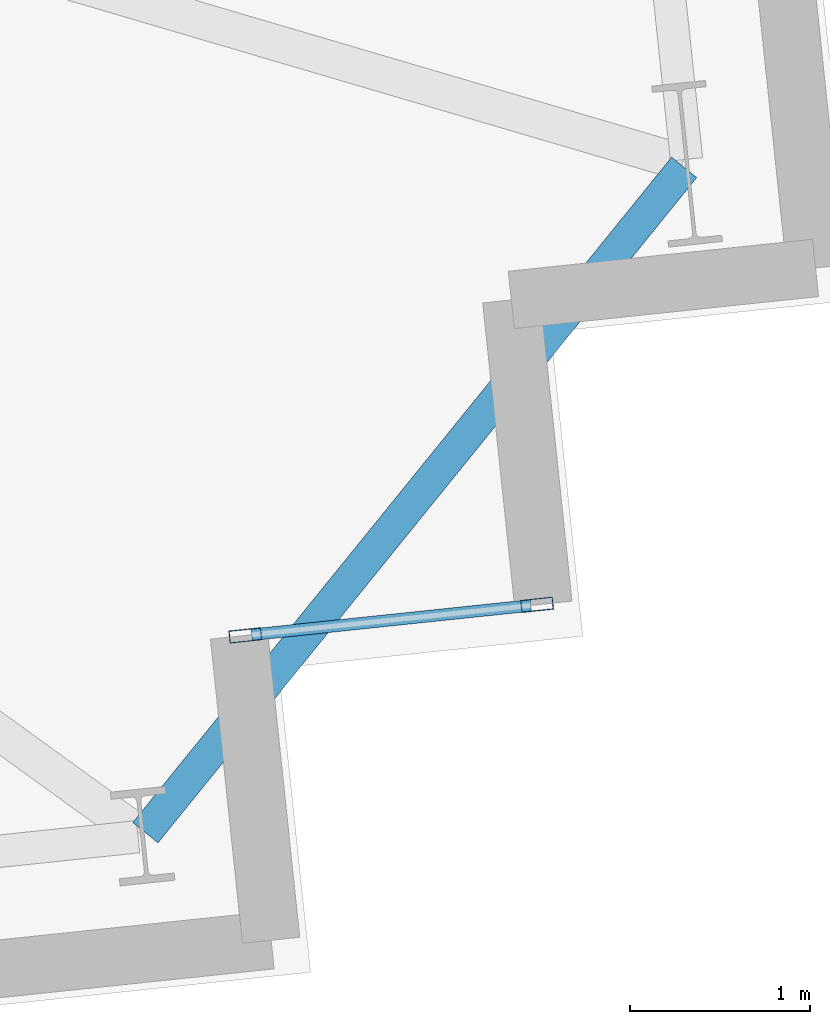
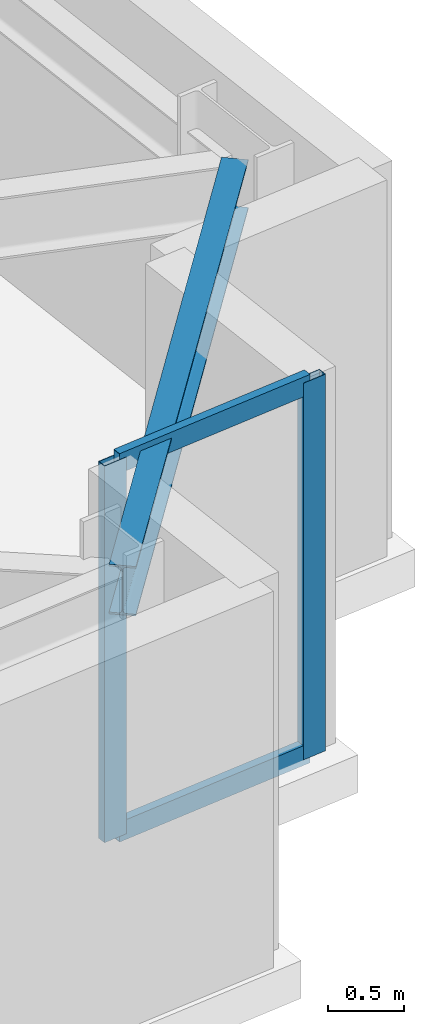
# One storey, part 6 of 17: 4 members, 1 beam, 1 element without a shape of its own.
"""IFC4 building model written with IfcOpenShell, lengths in metres."""

from ifc_helpers import new_model, si_unit, direction, frame, origin, origin_2d, place, context, subcontext, project, spatial, hollow_rectangle, i_section, extrude, material, layer, layer_set, material_profile, profile_set, type_object, element, aggregate, save


model = new_model("IFC4")

# Units and contexts
model_context = context("Model", 3, precision=1e-05, world=origin(), true_north=direction((0.0, 1.0)))
body_context = subcontext(model_context, "Body", "Model", "MODEL_VIEW")
ifc_project = project(units=[si_unit("LENGTHUNIT", "METRE"), si_unit("AREAUNIT", "SQUARE_METRE"), si_unit("VOLUMEUNIT", "CUBIC_METRE"), si_unit("PLANEANGLEUNIT", "RADIAN"), si_unit("MASSUNIT", "GRAM", prefix="KILO")], contexts=[model_context])

# Site, building, storey
site_placement = place(None, origin())
site = spatial("IfcSite", under=ifc_project, at=site_placement, CompositionType="ELEMENT")
building_placement = place(site_placement, origin())
building = spatial("IfcBuilding", under=site, at=building_placement, Name="Qobustan Lattice House", CompositionType="ELEMENT")
storey_placement = place(building_placement, frame((0.0, 0.0, 112.5)))
storey = spatial("IfcBuildingStorey", under=building, at=storey_placement, Name="L31", CompositionType="ELEMENT", Elevation=112.5)

# Beam
ifc_material_1 = material(Name="Steel S355", Category="steel")
ifc_material_profile_1 = material_profile(ifc_material_1, i_section(OverallWidth=0.179931640625, OverallDepth=0.39990234375, WebThickness=0.008544921875, FlangeThickness=0.013427734375, FilletRadius=0.02099609375, at=origin_2d()), Name="IPE400")
ifc_profile_set_1 = profile_set([ifc_material_profile_1], Name="Steel S355")
beam_type = type_object("IfcBeamType", Name="BM-SPD-IPE400", PredefinedType="SPANDREL", material=ifc_profile_set_1)
beam_placement = place(storey_placement, frame((29.608642578125, -13.3876953125, 2.844970703125), z_axis=(0.629351720588, 0.777120590252, 0.0), x_axis=(-0.777120590252, 0.629351720588, 0.0)))
element("IfcBeam", 1, at=beam_placement, inside=storey, type_object=beam_type, Name="L31 perimeter spandrel S7-E1", PredefinedType="SPANDREL", context=body_context, shape_type="SweptSolid", body=[
    extrude(i_section(OverallWidth=0.179931640625, OverallDepth=0.39990234375, WebThickness=0.008544921875, FlangeThickness=0.013427734375, FilletRadius=0.02099609375, at=origin_2d()), origin(), (0.0, 0.0, 1.0), 4.75830078125),
])

# Curtain wall, members
ifc_material_2 = material(Name="Anodised aluminium and low-E glazing", Category="aluminium")
ifc_layer = layer(ifc_material_2, 0.219970703125)
ifc_layer_set = layer_set([ifc_layer], Name="Anodised aluminium and low-E glazing")
curtain_wall_type = type_object("IfcCurtainWallType", Name="CW-FAC-01", PredefinedType="USERDEFINED", material=ifc_layer_set)
curtain_wall_placement = place(storey_placement, origin())
curtain_wall = element("IfcCurtainWall", 2, at=curtain_wall_placement, inside=storey, type_object=curtain_wall_type, Name="L31 serrated corner faceted glazing 18", ObjectType="CURTAIN WALL", PredefinedType="USERDEFINED")
ifc_material_3 = material(Name="Anodised aluminium EN AW-6063 T6", Category="aluminium")
ifc_material_profile_2 = material_profile(ifc_material_3, hollow_rectangle(XDim=0.070068359375, YDim=0.179931640625, WallThickness=0.00439453125, at=origin_2d()), Name="CWM-180x70")
ifc_profile_set_2 = profile_set([ifc_material_profile_2], Name="Anodised aluminium EN AW-6063 T6")
member_type_1 = type_object("IfcMemberType", Name="CWM-STD-180", PredefinedType="MULLION", material=ifc_profile_set_2)
member_1_placement = place(storey_placement, frame((31.785400390625, -12.12109375, 0.0), z_axis=(0.0, 0.0, 1.0), x_axis=(0.104528620025, -0.994521878892, 0.0)))
member_1 = element("IfcMember", 3, at=member_1_placement, type_object=member_type_1, Name="CW-F1 mullion 1", PredefinedType="MULLION", context=body_context, shape_type="SweptSolid", body=[
    extrude(hollow_rectangle(XDim=0.070068359375, YDim=0.179931640625, WallThickness=0.00439453125, at=origin_2d()), origin(), (0.0, 0.0, 1.0), 3.044921875),
])
member_2_placement = place(storey_placement, frame((30.164306640625, -12.29150390625, 0.0), z_axis=(0.0, 0.0, 1.0), x_axis=(0.104528620025, -0.994521878892, 0.0)))
member_2 = element("IfcMember", 4, at=member_2_placement, type_object=member_type_1, Name="CW-F1 mullion 2", PredefinedType="MULLION", context=body_context, shape_type="SweptSolid", body=[
    extrude(hollow_rectangle(XDim=0.070068359375, YDim=0.179931640625, WallThickness=0.00439453125, at=origin_2d()), origin(), (0.0, 0.0, 1.0), 3.044921875),
])
ifc_material_4 = material(Name="Anodised aluminium EN AW-6063 T6", Category="aluminium")
ifc_material_profile_3 = material_profile(ifc_material_4, hollow_rectangle(XDim=0.06494140625, YDim=0.159912109375, WallThickness=0.00390625, at=origin_2d()), Name="CWT-160x65")
ifc_profile_set_3 = profile_set([ifc_material_profile_3], Name="Anodised aluminium EN AW-6063 T6")
member_type_2 = type_object("IfcMemberType", Name="CWT-HOR-160", PredefinedType="USERDEFINED", material=ifc_profile_set_3)
member_3_placement = place(storey_placement, frame((31.750732421875, -12.124755859375, 0.032470703125), z_axis=(-0.994520877159, -0.104538150424, 0.0), x_axis=(0.104538150424, -0.994520877159, 0.0)))
member_3 = element("IfcMember", 5, at=member_3_placement, type_object=member_type_2, Name="CW-F1 transom 1.1", ObjectType="TRANSOM", PredefinedType="USERDEFINED", context=body_context, shape_type="SweptSolid", body=[
    extrude(hollow_rectangle(XDim=0.06494140625, YDim=0.159912109375, WallThickness=0.00390625, at=origin_2d()), origin(), (0.0, 0.0, 1.0), 1.56005859375),
])
member_4_placement = place(storey_placement, frame((31.750732421875, -12.124755859375, 3.012451171875), z_axis=(-0.994520877159, -0.104538150424, 0.0), x_axis=(0.104538150424, -0.994520877159, 0.0)))
member_4 = element("IfcMember", 6, at=member_4_placement, type_object=member_type_2, Name="CW-F1 transom 1.2", ObjectType="TRANSOM", PredefinedType="USERDEFINED", context=body_context, shape_type="SweptSolid", body=[
    extrude(hollow_rectangle(XDim=0.06494140625, YDim=0.159912109375, WallThickness=0.00390625, at=origin_2d()), origin(), (0.0, 0.0, 1.0), 1.56005859375),
])
aggregate(curtain_wall, [member_1, member_2, member_3, member_4])

save(model, "model.ifc")
